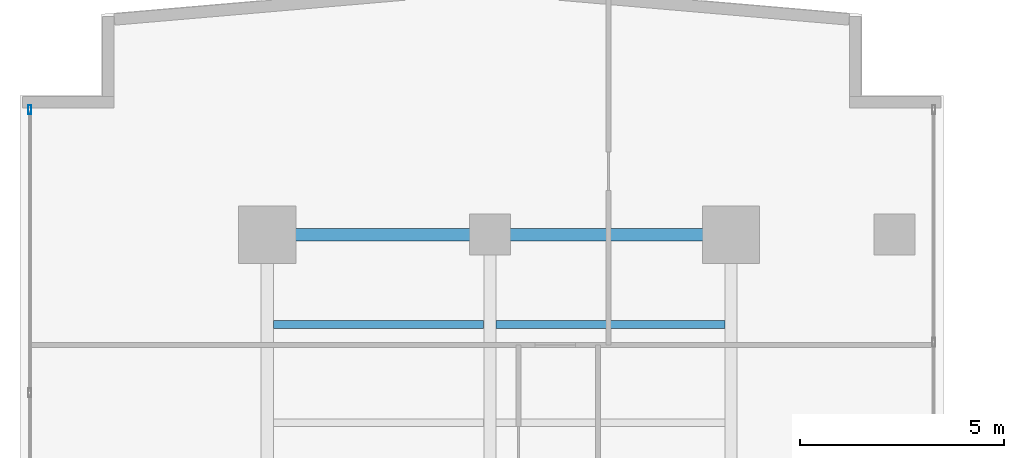
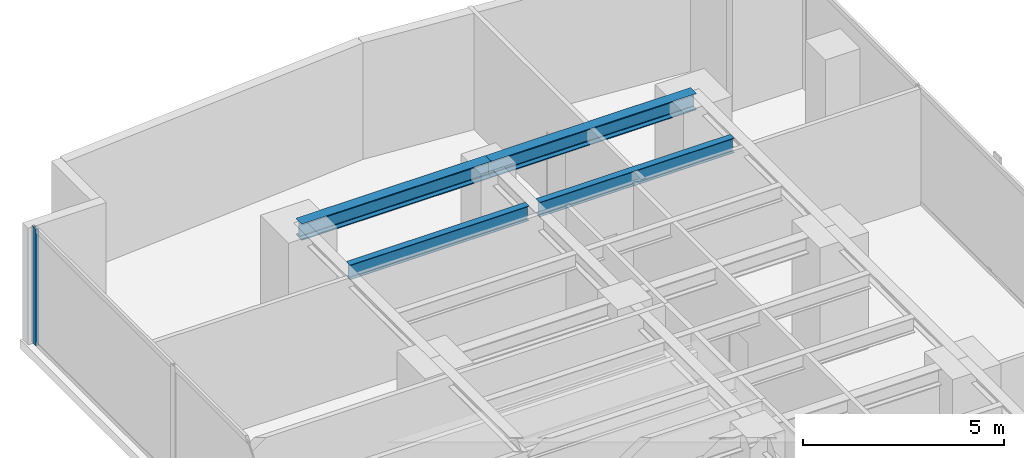
# One storey, part 15 of 26: 4 beams, 1 member, 1 element without a shape of its own.
"""IFC4 building model written with IfcOpenShell, lengths in metres."""

from ifc_helpers import new_model, si_unit, direction, frame, origin, origin_with_axes, origin_2d, place, context, subcontext, project, spatial, hollow_rectangle, i_section, extrude, source, transform, mapped, material, layer, layer_set, material_profile, profile_set, type_object, element, aggregate, save


model = new_model("IFC4")

# Units and contexts
model_context = context("Model", 3, precision=1e-05, world=origin(), true_north=direction((0.0, 1.0)))
body_context = subcontext(model_context, "Body", "Model", "MODEL_VIEW")
ifc_project = project(units=[si_unit("LENGTHUNIT", "METRE"), si_unit("AREAUNIT", "SQUARE_METRE"), si_unit("VOLUMEUNIT", "CUBIC_METRE"), si_unit("PLANEANGLEUNIT", "RADIAN"), si_unit("MASSUNIT", "GRAM", prefix="KILO")], contexts=[model_context])

# Site, building, storey
site_placement = place(None, origin())
site = spatial("IfcSite", under=ifc_project, at=site_placement, CompositionType="ELEMENT")
building_placement = place(site_placement, origin())
building = spatial("IfcBuilding", under=site, at=building_placement, Name="Kolvaren Waterfront Exchange", CompositionType="ELEMENT")
storey_placement = place(building_placement, frame((0.0, 0.0, 87.89990234375)))
storey = spatial("IfcBuildingStorey", under=building, at=storey_placement, Name="L22", CompositionType="ELEMENT", Elevation=87.89990234375)

# Beams
ifc_material_1 = material(Name="Steel S355", Category="steel")
ifc_material_profile_1 = material_profile(ifc_material_1, i_section(OverallWidth=0.300048828125, OverallDepth=0.5, WebThickness=0.014404296875, FlangeThickness=0.028076171875, FilletRadius=0.027099609375, at=origin_2d()), Name="HEB500")
ifc_profile_set_1 = profile_set([ifc_material_profile_1], Name="Steel S355")
beam_type_1 = type_object("IfcBeamType", Name="STR-BM-HEB500", PredefinedType="BEAM", material=ifc_profile_set_1)
beam_1_placement = place(storey_placement, frame((7.449951171875, 44.60009765625, 3.2900390625), z_axis=(1.0, 0.0, 0.0), x_axis=(0.0, 1.0, 0.0)))
element("IfcBeam", 1, at=beam_1_placement, inside=storey, type_object=beam_type_1, Name="L22 north-arm girder 4A", PredefinedType="BEAM", context=body_context, shape_type="SweptSolid", body=[
    extrude(i_section(OverallWidth=0.300048828125, OverallDepth=0.5, WebThickness=0.014404296875, FlangeThickness=0.028076171875, FilletRadius=0.027099609375, at=origin_2d()), origin(), (0.0, 0.0, 1.0), 5.449951171875),
])
beam_2_placement = place(storey_placement, frame((12.89990234375, 44.60009765625, 3.2900390625), z_axis=(1.0, 0.0, 0.0), x_axis=(0.0, 1.0, 0.0)))
element("IfcBeam", 2, at=beam_2_placement, inside=storey, type_object=beam_type_1, Name="L22 north-arm girder 4B", PredefinedType="BEAM", context=body_context, shape_type="SweptSolid", body=[
    extrude(i_section(OverallWidth=0.300048828125, OverallDepth=0.5, WebThickness=0.014404296875, FlangeThickness=0.028076171875, FilletRadius=0.027099609375, at=origin_2d()), origin(), (0.0, 0.0, 1.0), 5.900146484375),
])
ifc_material_profile_2 = material_profile(ifc_material_1, i_section(OverallWidth=0.18994140625, OverallDepth=0.449951171875, WebThickness=0.009521484375, FlangeThickness=0.0146484375, FilletRadius=0.02099609375, at=origin_2d()), Name="IPE450")
ifc_profile_set_2 = profile_set([ifc_material_profile_2], Name="Steel S355")
beam_type_2 = type_object("IfcBeamType", Name="STR-BM-IPE450", PredefinedType="JOIST", material=ifc_profile_set_2)
beam_3_placement = place(storey_placement, frame((7.60205078125, 42.39990234375, 3.315185546875), z_axis=(1.0, 0.0, 0.0), x_axis=(0.0, 1.0, 0.0)))
element("IfcBeam", 3, at=beam_3_placement, inside=storey, type_object=beam_type_2, Name="L22 north-arm composite joist 6A", PredefinedType="JOIST", context=body_context, shape_type="SweptSolid", body=[
    extrude(i_section(OverallWidth=0.18994140625, OverallDepth=0.449951171875, WebThickness=0.009521484375, FlangeThickness=0.0146484375, FilletRadius=0.02099609375, at=origin_2d()), origin(), (0.0, 0.0, 1.0), 5.14599609375),
])
beam_4_placement = place(storey_placement, frame((13.052001953125, 42.39990234375, 3.315185546875), z_axis=(1.0, 0.0, 0.0), x_axis=(0.0, 1.0, 0.0)))
element("IfcBeam", 4, at=beam_4_placement, inside=storey, type_object=beam_type_2, Name="L22 north-arm composite joist 6B", PredefinedType="JOIST", context=body_context, shape_type="SweptSolid", body=[
    extrude(i_section(OverallWidth=0.18994140625, OverallDepth=0.449951171875, WebThickness=0.009521484375, FlangeThickness=0.0146484375, FilletRadius=0.02099609375, at=origin_2d()), origin(), (0.0, 0.0, 1.0), 5.595947265625),
])

# Curtain wall, member
ifc_material_2 = material(Name="Anodised aluminium 6063-T6", Category="aluminium")
ifc_layer = layer(ifc_material_2, 0.219970703125, Name="Anodised aluminium 6063-T6")
ifc_layer_set = layer_set([ifc_layer], Name="Anodised aluminium 6063-T6")
curtain_wall_type = type_object("IfcCurtainWallType", Name="ARC-CW-SYS2", PredefinedType="USERDEFINED", material=ifc_layer_set)
curtain_wall_placement = place(storey_placement, origin())
curtain_wall = element("IfcCurtainWall", 5, at=curtain_wall_placement, inside=storey, type_object=curtain_wall_type, Name="L22 stick curtain wall CW2 (CW-L22-W)", ObjectType="STICK CURTAIN WALL", PredefinedType="USERDEFINED")
ifc_material_profile_3 = material_profile(ifc_material_2, hollow_rectangle(XDim=0.080078125, YDim=0.219970703125, WallThickness=0.0048828125, at=origin_2d()), Name="ALU-MUL-220x80x5")
ifc_profile_set_3 = profile_set([ifc_material_profile_3], Name="Anodised aluminium 6063-T6")
member_type = type_object("IfcMemberType", Name="ARC-CWM-220", PredefinedType="MULLION", material=ifc_profile_set_3)
shared_shape = source(origin_with_axes(), body_context, "Body", "SweptSolid", [
    extrude(hollow_rectangle(XDim=0.080078125, YDim=0.219970703125, WallThickness=0.0048828125, at=origin_2d()), origin(), (0.0, 0.0, 1.0), 3.5400390625),
])
member_placement = place(storey_placement, frame((1.639892578125, 47.659912109375, 0.0), z_axis=(0.0, 0.0, 1.0), x_axis=(-1.0, 0.0, 0.0)))
member = element("IfcMember", 6, at=member_placement, type_object=member_type, Name="CW2 mullion 7", PredefinedType="MULLION", context=body_context, shape_type="MappedRepresentation", body=[
    mapped(shared_shape, transform((0.0, 0.0, 0.0), x_axis=(1.0, 0.0, 0.0), y_axis=(0.0, 1.0, 0.0), z_axis=(0.0, 0.0, 1.0), scale=1.0)),
])
aggregate(curtain_wall, [member])

save(model, "model.ifc")
